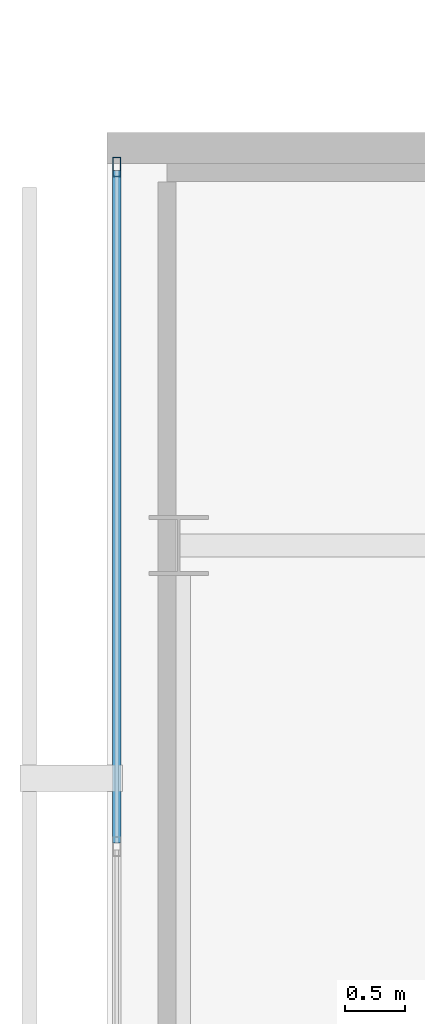
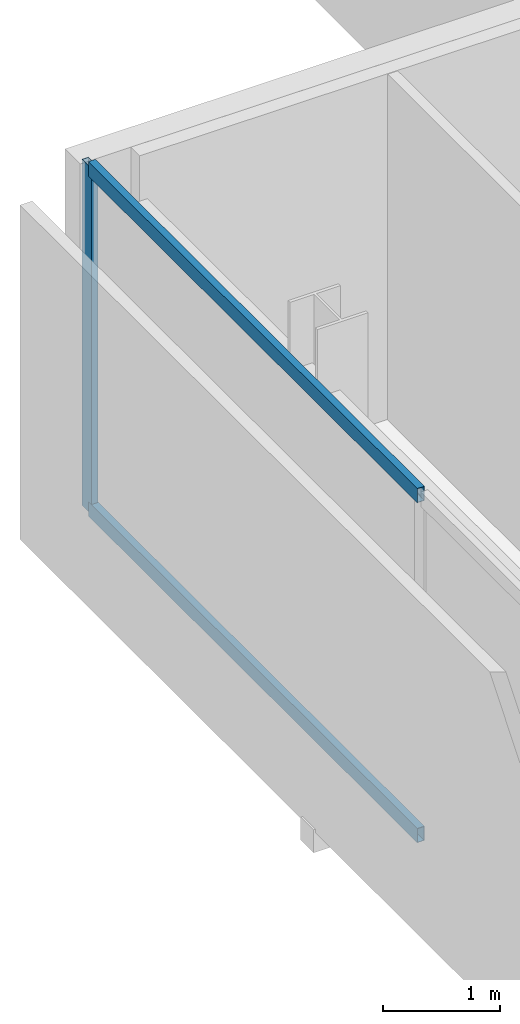
# One storey, part 14 of 23: 3 members, 1 element without a shape of its own.
"""IFC4 building model written with IfcOpenShell, lengths in metres."""

import ifcopenshell
import ifcopenshell.guid

model = None  # the IFC model being written
_history = None  # IfcOwnerHistory: only IFC2X3 demands one
_inside = {}  # id of a spatial element -> (the spatial element, [elements in it])
_under = {}  # id of a project, library or spatial element -> (it, [spatial elements below it])
_declared = {}  # id of a project -> (the project, [libraries it declares])
_typed = {}  # id of a type object -> (the type object, [elements of that type])
_made_of = {}  # id of a material, layer set ... -> (it, [elements and type objects made of it])


def new_model(schema):
    """Start an empty IFC model of exactly this schema.

    Asked for "IFC4X3", IfcOpenShell would pick the latest addendum, in which some entities
    have other attributes; the version numbers below select the first issue.
    IFC2X3 requires an IfcOwnerHistory on every rooted entity: one is made here for all.
    """
    global model, _history
    if schema == "IFC4X3":
        model = ifcopenshell.file(schema_version=(4, 3, 0, 0))
    else:
        model = ifcopenshell.file(schema=schema)
    _inside.clear()
    _under.clear()
    _declared.clear()
    _typed.clear()
    _made_of.clear()
    _history = None
    if model.schema == "IFC2X3":
        org = make("IfcOrganization", Name="unknown")
        user = make(
            "IfcPersonAndOrganization",
            ThePerson=make("IfcPerson", FamilyName="unknown"),
            TheOrganization=org,
        )
        app = make(
            "IfcApplication",
            ApplicationDeveloper=org,
            Version="unknown",
            ApplicationFullName="unknown",
            ApplicationIdentifier="unknown",
        )
        _history = make(
            "IfcOwnerHistory",
            OwningUser=user,
            OwningApplication=app,
            ChangeAction="ADDED",
            CreationDate=0,
        )
    return model


def make(cls, **values):
    """One entity of the class cls with the attributes given. An attribute that is None is left unset."""
    return model.create_entity(
        cls, **{name: value for name, value in values.items() if value is not None}
    )


def rooted(cls, **values):
    """An entity with a GlobalId (a new one), such as an element, a storey or a relation."""
    return make(cls, GlobalId=ifcopenshell.guid.new(), OwnerHistory=_history, **values)


def si_unit(unit_type, name, prefix=None):
    """IfcSIUnit, for example si_unit("LENGTHUNIT", "METRE", prefix="MILLI")."""
    return make("IfcSIUnit", UnitType=unit_type, Prefix=prefix, Name=name)


def assignment(units):
    """IfcUnitAssignment: the units of a project."""
    return None if units is None else make("IfcUnitAssignment", Units=units)


def point(xyz):
    """IfcCartesianPoint."""
    return None if xyz is None else make("IfcCartesianPoint", Coordinates=xyz)


def direction(xyz):
    """IfcDirection."""
    return None if xyz is None else make("IfcDirection", DirectionRatios=xyz)


def frame(location, z_axis=None, x_axis=None):
    """IfcAxis2Placement3D, a coordinate frame: its origin and axes. An axis left out is left unset."""
    return make(
        "IfcAxis2Placement3D",
        Location=point(location),
        Axis=direction(z_axis),
        RefDirection=direction(x_axis),
    )


def frame_2d(location, x_axis=None):
    """IfcAxis2Placement2D, a coordinate frame in the plane: its origin and x axis."""
    return make(
        "IfcAxis2Placement2D", Location=point(location), RefDirection=direction(x_axis)
    )


def origin():
    """The frame at (0, 0, 0) with its axes left unset."""
    return frame((0.0, 0.0, 0.0))


def origin_2d():
    """The frame at (0, 0) in the plane with its x axis left unset."""
    return frame_2d((0.0, 0.0))


def place(relative_to, where):
    """IfcLocalPlacement: puts the frame where relative to a parent placement (None: the world)."""
    return make(
        "IfcLocalPlacement", PlacementRelTo=relative_to, RelativePlacement=where
    )


def context(
    kind, dimensions, precision=None, world=None, true_north=None, identifier=None
):
    """IfcGeometricRepresentationContext, for example the 3D "Model" context."""
    return make(
        "IfcGeometricRepresentationContext",
        ContextIdentifier=identifier,
        ContextType=kind,
        CoordinateSpaceDimension=dimensions,
        Precision=precision,
        WorldCoordinateSystem=world,
        TrueNorth=true_north,
    )


def subcontext(parent, identifier, kind, view, scale=None):
    """IfcGeometricRepresentationSubContext, for example "Body" below "Model"."""
    return make(
        "IfcGeometricRepresentationSubContext",
        ContextIdentifier=identifier,
        ContextType=kind,
        ParentContext=parent,
        TargetScale=scale,
        TargetView=view,
    )


def project(units=None, contexts=None):
    """IfcProject with its units and contexts."""
    return rooted(
        "IfcProject",
        Name="project",
        RepresentationContexts=contexts,
        UnitsInContext=assignment(units),
    )


def spatial(cls, under=None, at=None, **own):
    """A site, building, storey or space (cls), placed at a placement, below another one or the project."""
    s = rooted(cls, ObjectPlacement=at, **own)
    if under is not None:
        _under.setdefault(under.id(), (under, []))[1].append(s)
    return s


def profile(cls, at=None, kind="AREA", **sizes):
    """A parametric profile (cls). Its sizes go by their IFC names, for example OverallWidth=200.0."""
    return make(cls, ProfileType=kind, Position=at, **sizes)


def hollow_rectangle(**sizes):
    """IfcRectangleHollowProfileDef."""
    return profile("IfcRectangleHollowProfileDef", **sizes)


def extrude(swept, where, along, depth):
    """IfcExtrudedAreaSolid: the profile swept, set in the frame where, extruded along a direction by depth."""
    return make(
        "IfcExtrudedAreaSolid",
        SweptArea=swept,
        Position=where,
        ExtrudedDirection=direction(along),
        Depth=depth,
    )


def shape(context_of_items, identifier, shape_type, items):
    """IfcShapeRepresentation: the items that make up one representation, for example the "Body"."""
    return make(
        "IfcShapeRepresentation",
        ContextOfItems=context_of_items,
        RepresentationIdentifier=identifier,
        RepresentationType=shape_type,
        Items=items,
    )


def material(Name=None, Category=None):
    """IfcMaterial."""
    return make("IfcMaterial", Name=Name, Category=Category)


def layer(
    of_material, thickness, ventilated=None, Name=None, Category=None, Priority=None
):
    """IfcMaterialLayer: one layer of a wall or slab, of a material (None: an air gap)."""
    return make(
        "IfcMaterialLayer",
        Material=of_material,
        LayerThickness=thickness,
        IsVentilated=ventilated,
        Name=Name,
        Category=Category,
        Priority=Priority,
    )


def layer_set(layers, Name=None):
    """IfcMaterialLayerSet."""
    return make("IfcMaterialLayerSet", MaterialLayers=layers, LayerSetName=Name)


def material_profile(
    of_material, cross_section, Name=None, Category=None, Priority=None
):
    """IfcMaterialProfile: a cross section and its material."""
    return make(
        "IfcMaterialProfile",
        Name=Name,
        Material=of_material,
        Profile=cross_section,
        Priority=Priority,
        Category=Category,
    )


def profile_set(profiles, Name=None, composite=None):
    """IfcMaterialProfileSet."""
    return make(
        "IfcMaterialProfileSet",
        Name=Name,
        MaterialProfiles=profiles,
        CompositeProfile=composite,
    )


def made_of(thing, what):
    """Note that an element or type object is made of a material, layer set ...; save() writes the relation."""
    if what is not None:
        _made_of.setdefault(what.id(), (what, []))[1].append(thing)
    return thing


def type_object(cls, material=None, **own):
    """A type object (cls), such as IfcWallType, which elements share."""
    return made_of(rooted(cls, **own), material)


def element(
    cls,
    number,
    at=None,
    inside=None,
    cuts=None,
    type_object=None,
    material=None,
    context=None,
    identifier="Body",
    shape_type=None,
    held_by="IfcProductDefinitionShape",
    body=None,
    shapes=None,
    **own,
):
    """One element of the class cls, such as IfcWall. Its Tag is "e" and its number.

    at: its placement. inside: the storey or other place that contains it. cuts: it is an
    opening in that element (IfcRelVoidsElement). A single representation is given by context,
    identifier, shape_type and body (its items); several are given by shapes. held_by: the class
    of the entity that holds the representations. save() writes the other relations.
    """
    e = rooted(cls, Tag="e%d" % number, ObjectPlacement=at, **own)
    if body is not None:
        shapes = [shape(context, identifier, shape_type, body)]
    if shapes is not None:
        e.Representation = make(held_by, Representations=shapes)
    if inside is not None:
        _inside.setdefault(inside.id(), (inside, []))[1].append(e)
    if cuts is not None:
        rooted(
            "IfcRelVoidsElement", RelatingBuildingElement=cuts, RelatedOpeningElement=e
        )
    if type_object is not None:
        _typed.setdefault(type_object.id(), (type_object, []))[1].append(e)
    return made_of(e, material)


def aggregate(whole, parts):
    """IfcRelAggregates: a whole, such as a stair, and the parts it consists of."""
    return rooted("IfcRelAggregates", RelatingObject=whole, RelatedObjects=parts)


def save(model, path):
    """Write the relations noted so far, then the file.

    IfcRelAggregates (storeys below a building ...), IfcRelContainedInSpatialStructure (elements
    in a storey), IfcRelDefinesByType, IfcRelAssociatesMaterial and IfcRelDeclares: one each for
    every whole, place, type object, material and project.
    """
    for whole, parts in _under.values():
        aggregate(whole, parts)
    for where, things in _inside.values():
        rooted(
            "IfcRelContainedInSpatialStructure",
            RelatedElements=things,
            RelatingStructure=where,
        )
    for kind, things in _typed.values():
        rooted("IfcRelDefinesByType", RelatedObjects=things, RelatingType=kind)
    for what, things in _made_of.values():
        rooted("IfcRelAssociatesMaterial", RelatedObjects=things, RelatingMaterial=what)
    for by, libraries in _declared.values():
        rooted("IfcRelDeclares", RelatingContext=by, RelatedDefinitions=libraries)
    model.write(path)


model = new_model("IFC4")

# Units and contexts
model_context = context("Model", 3, precision=1e-05, world=origin(), true_north=direction((0.0, 1.0)))
body_context = subcontext(model_context, "Body", "Model", "MODEL_VIEW")
ifc_project = project(units=[si_unit("LENGTHUNIT", "METRE"), si_unit("AREAUNIT", "SQUARE_METRE"), si_unit("VOLUMEUNIT", "CUBIC_METRE"), si_unit("PLANEANGLEUNIT", "RADIAN"), si_unit("MASSUNIT", "GRAM", prefix="KILO")], contexts=[model_context])

# Site, building, storey
site_placement = place(None, origin())
site = spatial("IfcSite", under=ifc_project, at=site_placement, CompositionType="ELEMENT")
building_placement = place(site_placement, origin())
building = spatial("IfcBuilding", under=site, at=building_placement, Name="Maruvema Waterfront Hotel and Observation Tower", CompositionType="ELEMENT")
storey_placement = place(building_placement, frame((0.0, 0.0, 337.39990234375)))
storey = spatial("IfcBuildingStorey", under=building, at=storey_placement, Name="L83", CompositionType="ELEMENT", Elevation=337.39990234375)

# Curtain wall, members
ifc_material_1 = material(Name="Anodised bronze aluminium and solar-control low-E IGU", Category="aluminium")
ifc_layer = layer(ifc_material_1, 0.159912109375, Name="Zone 4 Sky Residence Inner Curtain Wall System CW-05")
ifc_layer_set = layer_set([ifc_layer], Name="Anodised bronze aluminium and solar-control low-E IGU")
curtain_wall_type = type_object("IfcCurtainWallType", Name="Zone 4 Sky Residence Inner Curtain Wall System CW-05", PredefinedType="USERDEFINED", material=ifc_layer_set)
curtain_wall_placement = place(storey_placement, origin())
curtain_wall = element("IfcCurtainWall", 1, at=curtain_wall_placement, inside=storey, type_object=curtain_wall_type, Name="L83 Curtain Wall CW-L83-W", ObjectType="UNITISED CURTAIN WALL", PredefinedType="USERDEFINED")
ifc_material_2 = material(Name="Anodised architectural bronze aluminium", Category="aluminium")
ifc_material_profile_1 = material_profile(ifc_material_2, hollow_rectangle(XDim=0.070068359375, YDim=0.14990234375, WallThickness=0.00390625, at=origin_2d()), Name="ALU-T70x150")
ifc_profile_set_1 = profile_set([ifc_material_profile_1], Name="Anodised architectural bronze aluminium")
member_type_1 = type_object("IfcMemberType", Name="Curtain Wall Horizontal Transom ALU-T70x150", PredefinedType="USERDEFINED", material=ifc_profile_set_1)
member_1_placement = place(storey_placement, frame((17.780029296875, 48.139892578125, 0.030029296875), z_axis=(0.0, -1.0, 0.0), x_axis=(1.0, 0.0, 0.0)))
member_1 = element("IfcMember", 2, at=member_1_placement, type_object=member_type_1, Name="CW-05 transom 1.1", ObjectType="TRANSOM", PredefinedType="USERDEFINED", context=body_context, shape_type="SweptSolid", body=[
    extrude(hollow_rectangle(XDim=0.070068359375, YDim=0.14990234375, WallThickness=0.00390625, at=origin_2d()), origin(), (0.0, 0.0, 1.0), 5.6298828125),
])
member_2_placement = place(storey_placement, frame((17.780029296875, 48.139892578125, 3.580078125), z_axis=(0.0, -1.0, 0.0), x_axis=(1.0, 0.0, 0.0)))
member_2 = element("IfcMember", 3, at=member_2_placement, type_object=member_type_1, Name="CW-05 transom 1.2", ObjectType="TRANSOM", PredefinedType="USERDEFINED", context=body_context, shape_type="SweptSolid", body=[
    extrude(hollow_rectangle(XDim=0.070068359375, YDim=0.14990234375, WallThickness=0.00390625, at=origin_2d()), origin(), (0.0, 0.0, 1.0), 5.6298828125),
])
ifc_material_3 = material(Name="Anodised architectural bronze aluminium", Category="aluminium")
ifc_material_profile_2 = material_profile(ifc_material_3, hollow_rectangle(XDim=0.06494140625, YDim=0.1650390625, WallThickness=0.00390625, at=origin_2d()), Name="ALU-M65x165")
ifc_profile_set_2 = profile_set([ifc_material_profile_2], Name="Anodised architectural bronze aluminium")
member_type_2 = type_object("IfcMemberType", Name="Curtain Wall Primary Mullion ALU-M65x165", PredefinedType="MULLION", material=ifc_profile_set_2)
member_3_placement = place(storey_placement, frame((17.780029296875, 48.169921875, 0.0), z_axis=(0.0, 0.0, 1.0), x_axis=(1.0, 0.0, 0.0)))
member_3 = element("IfcMember", 4, at=member_3_placement, type_object=member_type_2, Name="CW-05 mullion 1", PredefinedType="MULLION", context=body_context, shape_type="SweptSolid", body=[
    extrude(hollow_rectangle(XDim=0.06494140625, YDim=0.1650390625, WallThickness=0.00390625, at=origin_2d()), origin(), (0.0, 0.0, 1.0), 3.610107421875),
])
aggregate(curtain_wall, [member_3, member_1, member_2])

save(model, "model.ifc")
